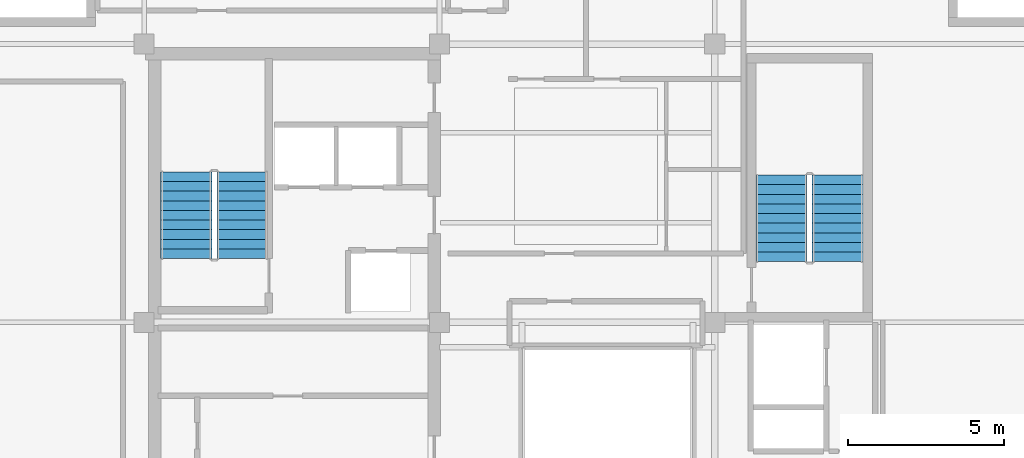
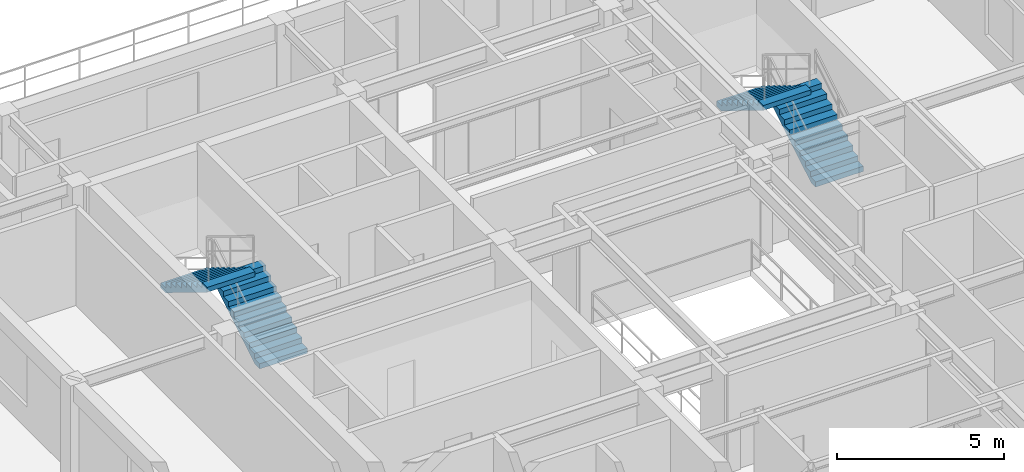
# One storey, part 6 of 9: 4 stair flights, 2 elements without a shape of their own.
"""IFC4 building model written with IfcOpenShell, lengths in metres."""

from ifc_helpers import new_model, si_unit, direction, frame, origin, place, context, subcontext, project, spatial, polyline, outline, extrude, material, type_object, element, aggregate, save


model = new_model("IFC4")

# Units and contexts
model_context = context("Model", 3, precision=1e-05, world=origin(), true_north=direction((0.0, 1.0)))
body_context = subcontext(model_context, "Body", "Model", "MODEL_VIEW")
ifc_project = project(units=[si_unit("LENGTHUNIT", "METRE"), si_unit("AREAUNIT", "SQUARE_METRE"), si_unit("VOLUMEUNIT", "CUBIC_METRE"), si_unit("PLANEANGLEUNIT", "RADIAN"), si_unit("MASSUNIT", "GRAM", prefix="KILO")], contexts=[model_context])

# Site, building, storey
site_placement = place(None, origin())
site = spatial("IfcSite", under=ifc_project, at=site_placement, CompositionType="ELEMENT")
building_placement = place(site_placement, origin())
building = spatial("IfcBuilding", under=site, at=building_placement, Name="Kundavana Baori Tower", CompositionType="ELEMENT")
storey_placement = place(building_placement, frame((0.0, 0.0, 327.699951171875)))
storey = spatial("IfcBuildingStorey", under=building, at=storey_placement, Name="L81", CompositionType="ELEMENT", Elevation=327.699951171875)

# Stair, stair flights
ifc_material_1 = material(Name="Concrete C40/50", Category="concrete")
stair_type = type_object("IfcStairType", Name="STR-DOG-1650", PredefinedType="HALF_TURN_STAIR", material=ifc_material_1)
stair_1_placement = place(storey_placement, origin())
stair_1 = element("IfcStair", 1, at=stair_1_placement, inside=storey, type_object=stair_type, Name="L81 Protected Exit Stair ST2", PredefinedType="HALF_TURN_STAIR")
ifc_material_2 = material(Name="Concrete C40/50", Category="concrete")
stair_flight_type = type_object("IfcStairFlightType", Name="SFL-RC-1650", PredefinedType="STRAIGHT", material=ifc_material_2)
stair_flight_1_placement = place(storey_placement, frame((18.614990234375, 35.050048828125, 0.0), z_axis=(0.0, 0.0, 1.0), x_axis=(0.0, 1.0, 0.0)))
stair_flight_1 = element("IfcStairFlight", 2, at=stair_flight_1_placement, type_object=stair_flight_type, Name="ST2 flight 1", NumberOfRisers=10, NumberOfTreads=9, PredefinedType="STRAIGHT", RiserHeight=0.19, TreadLength=0.31, context=body_context, shape_type="SweptSolid", body=[
    extrude(outline(polyline([(0.0, 0.0), (0.0, 0.18994140625), (0.31005859375, 0.18994140625), (0.31005859375, 0.3798828125), (0.6201171875, 0.3798828125), (0.6201171875, 0.570068359375), (0.929931640625, 0.570068359375), (0.929931640625, 0.760009765625), (1.239990234375, 0.760009765625), (1.239990234375, 0.949951171875), (1.550048828125, 0.949951171875), (1.550048828125, 1.139892578125), (1.860107421875, 1.139892578125), (1.860107421875, 1.330078125), (2.169921875, 1.330078125), (2.169921875, 1.52001953125), (2.47998046875, 1.52001953125), (2.47998046875, 1.7099609375), (2.7900390625, 1.7099609375), (2.7900390625, 1.89990234375), (2.7900390625, 1.5341796875), (0.286865234375, 0.0), (0.0, 0.0)])), frame((0.0, 0.824951171875, 0.0), z_axis=(0.0, -1.0, 0.0), x_axis=(1.0, 0.0, 0.0)), (0.0, 0.0, 1.0), 1.64990234375),
])
stair_flight_2_placement = place(storey_placement, frame((16.804931640625, 37.840087890625, 1.900146484375), z_axis=(0.0, 0.0, 1.0), x_axis=(0.0, -1.0, 0.0)))
stair_flight_2 = element("IfcStairFlight", 3, at=stair_flight_2_placement, type_object=stair_flight_type, Name="ST2 flight 2", NumberOfRisers=10, NumberOfTreads=9, PredefinedType="STRAIGHT", RiserHeight=0.19, TreadLength=0.31, context=body_context, shape_type="SweptSolid", body=[
    extrude(outline(polyline([(0.0, 0.0), (0.0, 0.18994140625), (0.31005859375, 0.18994140625), (0.31005859375, 0.3798828125), (0.6201171875, 0.3798828125), (0.6201171875, 0.570068359375), (0.929931640625, 0.570068359375), (0.929931640625, 0.760009765625), (1.239990234375, 0.760009765625), (1.239990234375, 0.949951171875), (1.550048828125, 0.949951171875), (1.550048828125, 1.139892578125), (1.860107421875, 1.139892578125), (1.860107421875, 1.330078125), (2.169921875, 1.330078125), (2.169921875, 1.52001953125), (2.47998046875, 1.52001953125), (2.47998046875, 1.7099609375), (2.7900390625, 1.7099609375), (2.7900390625, 1.89990234375), (2.7900390625, 1.5341796875), (0.286865234375, 0.0), (0.0, 0.0)])), frame((0.0, 0.824951171875, 0.0), z_axis=(0.0, -1.0, 0.0), x_axis=(1.0, 0.0, 0.0)), (0.0, 0.0, 1.0), 1.64990234375),
])
aggregate(stair_1, [stair_flight_1, stair_flight_2])

stair_2_placement = place(storey_placement, origin())
stair_2 = element("IfcStair", 4, at=stair_2_placement, inside=storey, type_object=stair_type, Name="L81 Protected Exit Stair ST3", PredefinedType="HALF_TURN_STAIR")
stair_flight_3_placement = place(storey_placement, frame((37.7548828125, 34.949951171875, 0.0), z_axis=(0.0, 0.0, 1.0), x_axis=(0.0, 1.0, 0.0)))
stair_flight_3 = element("IfcStairFlight", 5, at=stair_flight_3_placement, type_object=stair_flight_type, Name="ST3 flight 1", NumberOfRisers=10, NumberOfTreads=9, PredefinedType="STRAIGHT", RiserHeight=0.19, TreadLength=0.31, context=body_context, shape_type="SweptSolid", body=[
    extrude(outline(polyline([(0.0, 0.0), (0.0, 0.18994140625), (0.31005859375, 0.18994140625), (0.31005859375, 0.3798828125), (0.6201171875, 0.3798828125), (0.6201171875, 0.570068359375), (0.929931640625, 0.570068359375), (0.929931640625, 0.760009765625), (1.239990234375, 0.760009765625), (1.239990234375, 0.949951171875), (1.550048828125, 0.949951171875), (1.550048828125, 1.139892578125), (1.860107421875, 1.139892578125), (1.860107421875, 1.330078125), (2.169921875, 1.330078125), (2.169921875, 1.52001953125), (2.47998046875, 1.52001953125), (2.47998046875, 1.7099609375), (2.7900390625, 1.7099609375), (2.7900390625, 1.89990234375), (2.7900390625, 1.5341796875), (0.286865234375, 0.0), (0.0, 0.0)])), frame((0.0, 0.824951171875, 0.0), z_axis=(0.0, -1.0, 0.0), x_axis=(1.0, 0.0, 0.0)), (0.0, 0.0, 1.0), 1.64990234375),
])
stair_flight_4_placement = place(storey_placement, frame((35.945068359375, 37.739990234375, 1.900146484375), z_axis=(0.0, 0.0, 1.0), x_axis=(0.0, -1.0, 0.0)))
stair_flight_4 = element("IfcStairFlight", 6, at=stair_flight_4_placement, type_object=stair_flight_type, Name="ST3 flight 2", NumberOfRisers=10, NumberOfTreads=9, PredefinedType="STRAIGHT", RiserHeight=0.19, TreadLength=0.31, context=body_context, shape_type="SweptSolid", body=[
    extrude(outline(polyline([(0.0, 0.0), (0.0, 0.18994140625), (0.31005859375, 0.18994140625), (0.31005859375, 0.3798828125), (0.6201171875, 0.3798828125), (0.6201171875, 0.570068359375), (0.929931640625, 0.570068359375), (0.929931640625, 0.760009765625), (1.239990234375, 0.760009765625), (1.239990234375, 0.949951171875), (1.550048828125, 0.949951171875), (1.550048828125, 1.139892578125), (1.860107421875, 1.139892578125), (1.860107421875, 1.330078125), (2.169921875, 1.330078125), (2.169921875, 1.52001953125), (2.47998046875, 1.52001953125), (2.47998046875, 1.7099609375), (2.7900390625, 1.7099609375), (2.7900390625, 1.89990234375), (2.7900390625, 1.5341796875), (0.286865234375, 0.0), (0.0, 0.0)])), frame((0.0, 0.824951171875, 0.0), z_axis=(0.0, -1.0, 0.0), x_axis=(1.0, 0.0, 0.0)), (0.0, 0.0, 1.0), 1.64990234375),
])
aggregate(stair_2, [stair_flight_3, stair_flight_4])

save(model, "model.ifc")
